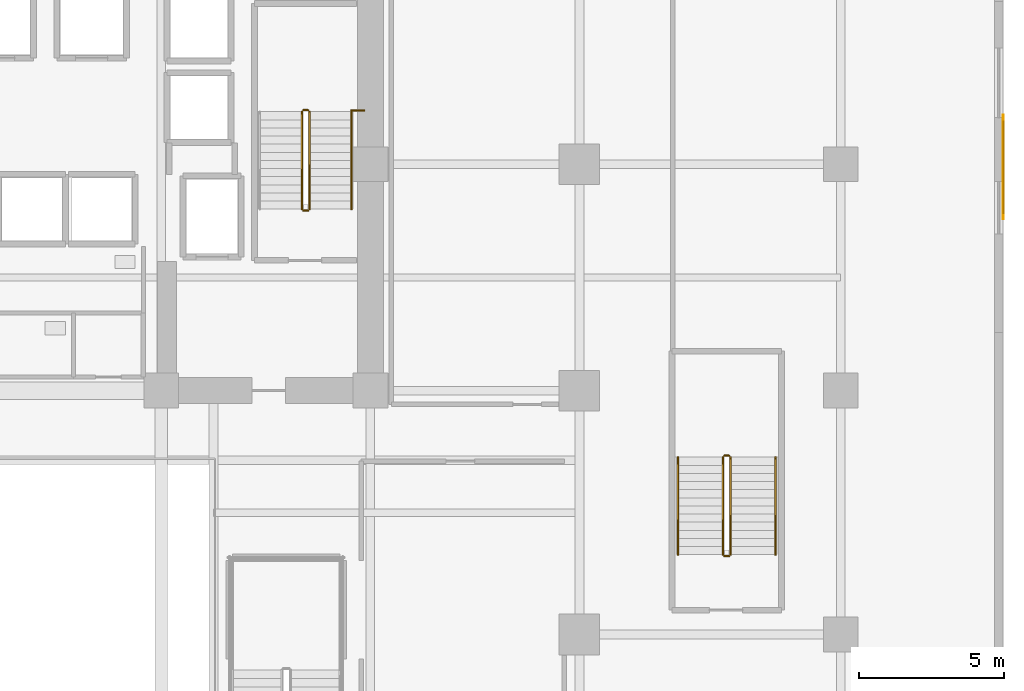
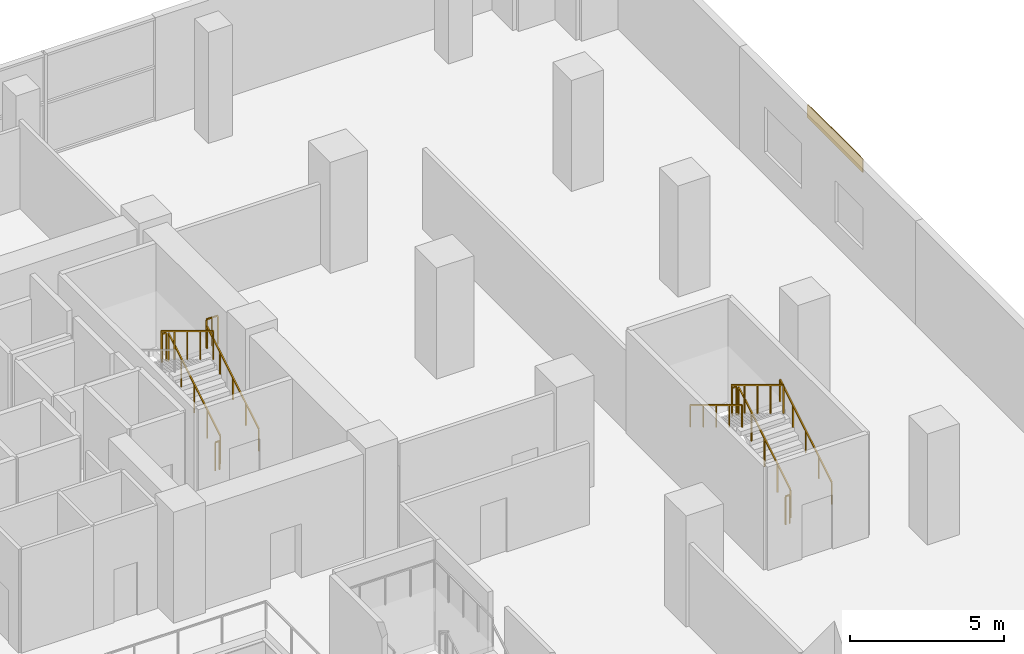
# One storey, part 20 of 21: 12 railings, 1 covering, 1 shading device.
"""IFC4 building model written with IfcOpenShell, lengths in metres."""

from ifc_helpers import new_model, si_unit, direction, frame, origin, origin_2d, place, context, subcontext, project, spatial, rectangle, extrude, source, transform, mapped, material, layer, layer_set, type_object, element, save


model = new_model("IFC4")

# Units and contexts
model_context = context("Model", 3, precision=1e-05, world=origin(), true_north=direction((0.0, 1.0)))
body_context = subcontext(model_context, "Body", "Model", "MODEL_VIEW")
ifc_project = project(units=[si_unit("LENGTHUNIT", "METRE"), si_unit("AREAUNIT", "SQUARE_METRE"), si_unit("VOLUMEUNIT", "CUBIC_METRE"), si_unit("PLANEANGLEUNIT", "RADIAN"), si_unit("MASSUNIT", "GRAM", prefix="KILO")], contexts=[model_context])

# Site, building, storey
site_placement = place(None, origin())
site = spatial("IfcSite", under=ifc_project, at=site_placement, CompositionType="ELEMENT")
building_placement = place(site_placement, origin())
building = spatial("IfcBuilding", under=site, at=building_placement, Name="Zarnakvel Exchange Tower", CompositionType="ELEMENT")
storey_placement = place(building_placement, frame((0.0, 0.0, 18.199951171875)))
storey = spatial("IfcBuildingStorey", under=building, at=storey_placement, Name="L04", CompositionType="ELEMENT", Elevation=18.199951171875)

# Railings
ifc_material_1 = material(Name="Brushed Stainless Steel", Category="steel")
railing_type_1 = type_object("IfcRailingType", Name="HR-01", PredefinedType="HANDRAIL", material=ifc_material_1)
railing_1_placement = place(storey_placement, frame((13.75, 5.050048828125, 0.169189453125)))
element("IfcRailing", 1, at=railing_1_placement, inside=storey, type_object=railing_type_1, Name="L04 ST-02 stair handrail 1", PredefinedType="HANDRAIL", context=body_context, shape_type="SweptSolid", body=[
    extrude(rectangle(XDim=0.048095703125, YDim=0.048095703125, at=origin_2d()), frame((0.0, 0.0, 0.8759765625), z_axis=(0.0, 0.855820338506, 0.51727318527), x_axis=(-1.0, 0.0, 0.0)), (0.0, 0.0, 1.0), 3.92578125),
    extrude(rectangle(XDim=0.0419921875, YDim=0.0419921875, at=origin_2d()), origin(), (0.0, 0.0, 1.0), 0.851806640625),
    extrude(rectangle(XDim=0.0419921875, YDim=0.0419921875, at=origin_2d()), frame((0.0, 0.83984375, 0.5078125)), (0.0, 0.0, 1.0), 0.851806640625),
    extrude(rectangle(XDim=0.0419921875, YDim=0.0419921875, at=origin_2d()), frame((0.0, 1.679931640625, 1.015380859375)), (0.0, 0.0, 1.0), 0.851806640625),
    extrude(rectangle(XDim=0.0419921875, YDim=0.0419921875, at=origin_2d()), frame((0.0, 2.52001953125, 1.52294921875)), (0.0, 0.0, 1.0), 0.851806640625),
    extrude(rectangle(XDim=0.0419921875, YDim=0.0419921875, at=origin_2d()), frame((0.0, 3.35986328125, 2.03076171875)), (0.0, 0.0, 1.0), 0.851806640625),
])
railing_2_placement = place(storey_placement, frame((28.35009765625, -6.85009765625, 0.169189453125)))
element("IfcRailing", 2, at=railing_2_placement, inside=storey, type_object=railing_type_1, Name="L04 ST-04 stair handrail 1", PredefinedType="HANDRAIL", context=body_context, shape_type="SweptSolid", body=[
    extrude(rectangle(XDim=0.048095703125, YDim=0.048095703125, at=origin_2d()), frame((0.0, 0.0, 0.8759765625), z_axis=(0.0, 0.855836976705, 0.517245656632), x_axis=(-1.0, 0.0, 0.0)), (0.0, 0.0, 1.0), 3.926025390625),
    extrude(rectangle(XDim=0.0419921875, YDim=0.0419921875, at=origin_2d()), origin(), (0.0, 0.0, 1.0), 0.851806640625),
    extrude(rectangle(XDim=0.0419921875, YDim=0.0419921875, at=origin_2d()), frame((0.0, 0.840087890625, 0.5078125)), (0.0, 0.0, 1.0), 0.851806640625),
    extrude(rectangle(XDim=0.0419921875, YDim=0.0419921875, at=origin_2d()), frame((0.0, 1.68017578125, 1.015380859375)), (0.0, 0.0, 1.0), 0.851806640625),
    extrude(rectangle(XDim=0.0419921875, YDim=0.0419921875, at=origin_2d()), frame((0.0, 2.52001953125, 1.52294921875)), (0.0, 0.0, 1.0), 0.851806640625),
    extrude(rectangle(XDim=0.0419921875, YDim=0.0419921875, at=origin_2d()), frame((0.0, 3.360107421875, 2.03076171875)), (0.0, 0.0, 1.0), 0.851806640625),
])
railing_3_placement = place(storey_placement, frame((24.989990234375, -3.489990234375, 2.369384765625)))
element("IfcRailing", 3, at=railing_3_placement, inside=storey, type_object=railing_type_1, Name="L04 ST-04 stair handrail 2", PredefinedType="HANDRAIL", context=body_context, shape_type="SweptSolid", body=[
    extrude(rectangle(XDim=0.048095703125, YDim=0.048095703125, at=origin_2d()), frame((0.0, 0.0, 0.8759765625), z_axis=(0.0, -0.855836976705, 0.517245656632), x_axis=(1.0, 0.0, 0.0)), (0.0, 0.0, 1.0), 3.926025390625),
    extrude(rectangle(XDim=0.0419921875, YDim=0.0419921875, at=origin_2d()), origin(), (0.0, 0.0, 1.0), 0.851806640625),
    extrude(rectangle(XDim=0.0419921875, YDim=0.0419921875, at=origin_2d()), frame((0.0, -0.840087890625, 0.5078125)), (0.0, 0.0, 1.0), 0.851806640625),
    extrude(rectangle(XDim=0.0419921875, YDim=0.0419921875, at=origin_2d()), frame((0.0, -1.68017578125, 1.015380859375)), (0.0, 0.0, 1.0), 0.851806640625),
    extrude(rectangle(XDim=0.0419921875, YDim=0.0419921875, at=origin_2d()), frame((0.0, -2.52001953125, 1.52294921875)), (0.0, 0.0, 1.0), 0.851806640625),
    extrude(rectangle(XDim=0.0419921875, YDim=0.0419921875, at=origin_2d()), frame((0.0, -3.360107421875, 2.03076171875)), (0.0, 0.0, 1.0), 0.851806640625),
])
ifc_material_2 = material(Name="Architectural Bronze Anodised Aluminium", Category="aluminium")
railing_type_2 = type_object("IfcRailingType", Name="SG-01", PredefinedType="GUARDRAIL", material=ifc_material_2)
railing_4_placement = place(storey_placement, frame((12.300048828125, 5.050048828125, 0.169189453125)))
element("IfcRailing", 4, at=railing_4_placement, inside=storey, type_object=railing_type_2, Name="L04 ST-02 stair guard 1", PredefinedType="GUARDRAIL", context=body_context, shape_type="SweptSolid", body=[
    extrude(rectangle(XDim=0.048095703125, YDim=0.048095703125, at=origin_2d()), frame((0.0, 0.0, 1.1259765625), z_axis=(0.0, 0.855820338506, 0.51727318527), x_axis=(-1.0, 0.0, 0.0)), (0.0, 0.0, 1.0), 3.92578125),
    extrude(rectangle(XDim=0.0419921875, YDim=0.0419921875, at=origin_2d()), origin(), (0.0, 0.0, 1.0), 1.101806640625),
    extrude(rectangle(XDim=0.0419921875, YDim=0.0419921875, at=origin_2d()), frame((0.0, 0.83984375, 0.5078125)), (0.0, 0.0, 1.0), 1.101806640625),
    extrude(rectangle(XDim=0.0419921875, YDim=0.0419921875, at=origin_2d()), frame((0.0, 1.679931640625, 1.015380859375)), (0.0, 0.0, 1.0), 1.101806640625),
    extrude(rectangle(XDim=0.0419921875, YDim=0.0419921875, at=origin_2d()), frame((0.0, 2.52001953125, 1.52294921875)), (0.0, 0.0, 1.0), 1.101806640625),
    extrude(rectangle(XDim=0.0419921875, YDim=0.0419921875, at=origin_2d()), frame((0.0, 3.35986328125, 2.03076171875)), (0.0, 0.0, 1.0), 1.101806640625),
])
railing_5_placement = place(storey_placement, frame((12.25, 8.4599609375, 2.199951171875)))
element("IfcRailing", 5, at=railing_5_placement, inside=storey, type_object=railing_type_2, Name="L04 ST-02 stair guard 2", PredefinedType="GUARDRAIL", context=body_context, shape_type="SweptSolid", body=[
    extrude(rectangle(XDim=0.048095703125, YDim=0.048095703125, at=origin_2d()), frame((0.0, 0.0, 1.1259765625), z_axis=(-1.0, 0.0, 0.0), x_axis=(0.0, -1.0, 0.0)), (0.0, 0.0, 1.0), 0.159912109375),
    extrude(rectangle(XDim=0.0419921875, YDim=0.0419921875, at=origin_2d()), origin(), (0.0, 0.0, 1.0), 1.101806640625),
    extrude(rectangle(XDim=0.0419921875, YDim=0.0419921875, at=origin_2d()), frame((-0.159912109375, 0.0, 0.0)), (0.0, 0.0, 1.0), 1.101806640625),
])
railing_6_placement = place(storey_placement, frame((12.0400390625, 8.409912109375, 2.369384765625)))
element("IfcRailing", 6, at=railing_6_placement, inside=storey, type_object=railing_type_2, Name="L04 ST-02 stair guard 3", PredefinedType="GUARDRAIL", context=body_context, shape_type="SweptSolid", body=[
    extrude(rectangle(XDim=0.048095703125, YDim=0.048095703125, at=origin_2d()), frame((0.0, 0.0, 1.1259765625), z_axis=(0.0, -0.855820338506, 0.51727318527), x_axis=(1.0, 0.0, 0.0)), (0.0, 0.0, 1.0), 3.92578125),
    extrude(rectangle(XDim=0.0419921875, YDim=0.0419921875, at=origin_2d()), origin(), (0.0, 0.0, 1.0), 1.101806640625),
    extrude(rectangle(XDim=0.0419921875, YDim=0.0419921875, at=origin_2d()), frame((0.0, -0.83984375, 0.5078125)), (0.0, 0.0, 1.0), 1.101806640625),
    extrude(rectangle(XDim=0.0419921875, YDim=0.0419921875, at=origin_2d()), frame((0.0, -1.679931640625, 1.015380859375)), (0.0, 0.0, 1.0), 1.101806640625),
    extrude(rectangle(XDim=0.0419921875, YDim=0.0419921875, at=origin_2d()), frame((0.0, -2.52001953125, 1.52294921875)), (0.0, 0.0, 1.0), 1.101806640625),
    extrude(rectangle(XDim=0.0419921875, YDim=0.0419921875, at=origin_2d()), frame((0.0, -3.35986328125, 2.03076171875)), (0.0, 0.0, 1.0), 1.101806640625),
])
railing_7_placement = place(storey_placement, frame((12.25, 5.0, 0.0)))
element("IfcRailing", 7, at=railing_7_placement, inside=storey, type_object=railing_type_2, Name="L04 ST-02 stair guard 4", PredefinedType="GUARDRAIL", context=body_context, shape_type="SweptSolid", body=[
    extrude(rectangle(XDim=0.048095703125, YDim=0.048095703125, at=origin_2d()), frame((0.0, 0.0, 1.1259765625), z_axis=(-1.0, 0.0, 0.0), x_axis=(0.0, -1.0, 0.0)), (0.0, 0.0, 1.0), 0.159912109375),
    extrude(rectangle(XDim=0.0419921875, YDim=0.0419921875, at=origin_2d()), origin(), (0.0, 0.0, 1.0), 1.101806640625),
    extrude(rectangle(XDim=0.0419921875, YDim=0.0419921875, at=origin_2d()), frame((-0.159912109375, 0.0, 0.0)), (0.0, 0.0, 1.0), 1.101806640625),
])
railing_8_placement = place(storey_placement, frame((13.75, 8.449951171875, 2.199951171875)))
element("IfcRailing", 8, at=railing_8_placement, inside=storey, type_object=railing_type_2, Name="L04 ST-02 Landing Slot Guardrail", PredefinedType="GUARDRAIL", context=body_context, shape_type="SweptSolid", body=[
    extrude(rectangle(XDim=0.048095703125, YDim=0.048095703125, at=origin_2d()), frame((0.0, 0.0, 1.1259765625), z_axis=(1.0, 0.0, 0.0), x_axis=(0.0, 1.0, 0.0)), (0.0, 0.0, 1.0), 0.429931640625),
    extrude(rectangle(XDim=0.0419921875, YDim=0.0419921875, at=origin_2d()), origin(), (0.0, 0.0, 1.0), 1.101806640625),
    extrude(rectangle(XDim=0.0419921875, YDim=0.0419921875, at=origin_2d()), frame((0.21484375, 0.0, 0.0)), (0.0, 0.0, 1.0), 1.101806640625),
    extrude(rectangle(XDim=0.0419921875, YDim=0.0419921875, at=origin_2d()), frame((0.429931640625, 0.0, 0.0)), (0.0, 0.0, 1.0), 1.101806640625),
])
railing_9_placement = place(storey_placement, frame((26.800048828125, -6.85009765625, 0.169189453125)))
element("IfcRailing", 9, at=railing_9_placement, inside=storey, type_object=railing_type_2, Name="L04 ST-04 stair guard 1", PredefinedType="GUARDRAIL", context=body_context, shape_type="SweptSolid", body=[
    extrude(rectangle(XDim=0.048095703125, YDim=0.048095703125, at=origin_2d()), frame((0.0, 0.0, 1.1259765625), z_axis=(0.0, 0.855836976705, 0.517245656632), x_axis=(-1.0, 0.0, 0.0)), (0.0, 0.0, 1.0), 3.926025390625),
    extrude(rectangle(XDim=0.0419921875, YDim=0.0419921875, at=origin_2d()), origin(), (0.0, 0.0, 1.0), 1.101806640625),
    extrude(rectangle(XDim=0.0419921875, YDim=0.0419921875, at=origin_2d()), frame((0.0, 0.840087890625, 0.5078125)), (0.0, 0.0, 1.0), 1.101806640625),
    extrude(rectangle(XDim=0.0419921875, YDim=0.0419921875, at=origin_2d()), frame((0.0, 1.68017578125, 1.015380859375)), (0.0, 0.0, 1.0), 1.101806640625),
    extrude(rectangle(XDim=0.0419921875, YDim=0.0419921875, at=origin_2d()), frame((0.0, 2.52001953125, 1.52294921875)), (0.0, 0.0, 1.0), 1.101806640625),
    extrude(rectangle(XDim=0.0419921875, YDim=0.0419921875, at=origin_2d()), frame((0.0, 3.360107421875, 2.03076171875)), (0.0, 0.0, 1.0), 1.101806640625),
])
railing_10_placement = place(storey_placement, frame((26.75, -3.43994140625, 2.199951171875)))
element("IfcRailing", 10, at=railing_10_placement, inside=storey, type_object=railing_type_2, Name="L04 ST-04 stair guard 2", PredefinedType="GUARDRAIL", context=body_context, shape_type="SweptSolid", body=[
    extrude(rectangle(XDim=0.048095703125, YDim=0.048095703125, at=origin_2d()), frame((0.0, 0.0, 1.1259765625), z_axis=(-1.0, 0.0, 0.0), x_axis=(0.0, -1.0, 0.0)), (0.0, 0.0, 1.0), 0.159912109375),
    extrude(rectangle(XDim=0.0419921875, YDim=0.0419921875, at=origin_2d()), origin(), (0.0, 0.0, 1.0), 1.101806640625),
    extrude(rectangle(XDim=0.0419921875, YDim=0.0419921875, at=origin_2d()), frame((-0.159912109375, 0.0, 0.0)), (0.0, 0.0, 1.0), 1.101806640625),
])
railing_11_placement = place(storey_placement, frame((26.5400390625, -3.489990234375, 2.369384765625)))
element("IfcRailing", 11, at=railing_11_placement, inside=storey, type_object=railing_type_2, Name="L04 ST-04 stair guard 3", PredefinedType="GUARDRAIL", context=body_context, shape_type="SweptSolid", body=[
    extrude(rectangle(XDim=0.048095703125, YDim=0.048095703125, at=origin_2d()), frame((0.0, 0.0, 1.1259765625), z_axis=(0.0, -0.855836976705, 0.517245656632), x_axis=(1.0, 0.0, 0.0)), (0.0, 0.0, 1.0), 3.926025390625),
    extrude(rectangle(XDim=0.0419921875, YDim=0.0419921875, at=origin_2d()), origin(), (0.0, 0.0, 1.0), 1.101806640625),
    extrude(rectangle(XDim=0.0419921875, YDim=0.0419921875, at=origin_2d()), frame((0.0, -0.840087890625, 0.5078125)), (0.0, 0.0, 1.0), 1.101806640625),
    extrude(rectangle(XDim=0.0419921875, YDim=0.0419921875, at=origin_2d()), frame((0.0, -1.68017578125, 1.015380859375)), (0.0, 0.0, 1.0), 1.101806640625),
    extrude(rectangle(XDim=0.0419921875, YDim=0.0419921875, at=origin_2d()), frame((0.0, -2.52001953125, 1.52294921875)), (0.0, 0.0, 1.0), 1.101806640625),
    extrude(rectangle(XDim=0.0419921875, YDim=0.0419921875, at=origin_2d()), frame((0.0, -3.360107421875, 2.03076171875)), (0.0, 0.0, 1.0), 1.101806640625),
])
railing_12_placement = place(storey_placement, frame((26.75, -6.89990234375, 0.0)))
element("IfcRailing", 12, at=railing_12_placement, inside=storey, type_object=railing_type_2, Name="L04 ST-04 stair guard 4", PredefinedType="GUARDRAIL", context=body_context, shape_type="SweptSolid", body=[
    extrude(rectangle(XDim=0.048095703125, YDim=0.048095703125, at=origin_2d()), frame((0.0, 0.0, 1.1259765625), z_axis=(-1.0, 0.0, 0.0), x_axis=(0.0, -1.0, 0.0)), (0.0, 0.0, 1.0), 0.159912109375),
    extrude(rectangle(XDim=0.0419921875, YDim=0.0419921875, at=origin_2d()), origin(), (0.0, 0.0, 1.0), 1.101806640625),
    extrude(rectangle(XDim=0.0419921875, YDim=0.0419921875, at=origin_2d()), frame((-0.159912109375, 0.0, 0.0)), (0.0, 0.0, 1.0), 1.101806640625),
])

# Covering
ifc_material_3 = material(Name="Glazed Turquoise Ceramic Architectural Tile", Category="ceramic")
ifc_layer_1 = layer(ifc_material_3, 0.028076171875)
ifc_layer_set_1 = layer_set([ifc_layer_1], Name="Glazed Turquoise Ceramic Architectural Tile")
covering_type = type_object("IfcCoveringType", Name="CL-01", PredefinedType="CLADDING", material=ifc_layer_set_1)
shared_shape_1 = source(origin(), body_context, "Body", "SweptSolid", [
    extrude(rectangle(XDim=3.60009765625, YDim=0.028076171875, at=origin_2d()), origin(), (0.0, 0.0, 1.0), 0.52001953125),
])
covering_placement = place(storey_placement, frame((36.19189453125, 6.5, 3.56005859375), z_axis=(0.0, 0.0, 1.0), x_axis=(0.0, -1.0, 0.0)))
element("IfcCovering", 13, at=covering_placement, inside=storey, type_object=covering_type, Name="L04 Ceramic Spandrel Tilework CL-01", PredefinedType="CLADDING", context=body_context, shape_type="MappedRepresentation", body=[
    mapped(shared_shape_1, transform((0.0, 0.0, 0.0), x_axis=(1.0, 0.0, 0.0), y_axis=(0.0, 1.0, 0.0), z_axis=(0.0, 0.0, 1.0), scale=1.0)),
])

# Shading device
ifc_material_4 = material(Name="Perforated Architectural Bronze Screen", Category="aluminium")
ifc_layer_2 = layer(ifc_material_4, 0.044921875)
ifc_layer_set_2 = layer_set([ifc_layer_2], Name="Perforated Architectural Bronze Screen")
shading_device_type = type_object("IfcShadingDeviceType", Name="SS-01", PredefinedType="JALOUSIE", material=ifc_layer_set_2)
shared_shape_2 = source(origin(), body_context, "Body", "SweptSolid", [
    extrude(rectangle(XDim=3.199951171875, YDim=0.044921875, at=origin_2d()), origin(), (0.0, 0.0, 1.0), 0.52001953125),
])
shading_device_placement = place(storey_placement, frame((36.200439453125, 6.5, 3.56005859375), z_axis=(0.0, 0.0, 1.0), x_axis=(0.0, -1.0, 0.0)))
element("IfcShadingDevice", 14, at=shading_device_placement, inside=storey, type_object=shading_device_type, Name="L04 Bronze Solar Shading Screen SS-01", PredefinedType="JALOUSIE", context=body_context, shape_type="MappedRepresentation", body=[
    mapped(shared_shape_2, transform((0.0, 0.0, 0.0), x_axis=(1.0, 0.0, 0.0), y_axis=(0.0, 1.0, 0.0), z_axis=(0.0, 0.0, 1.0), scale=1.0)),
])

save(model, "model.ifc")
